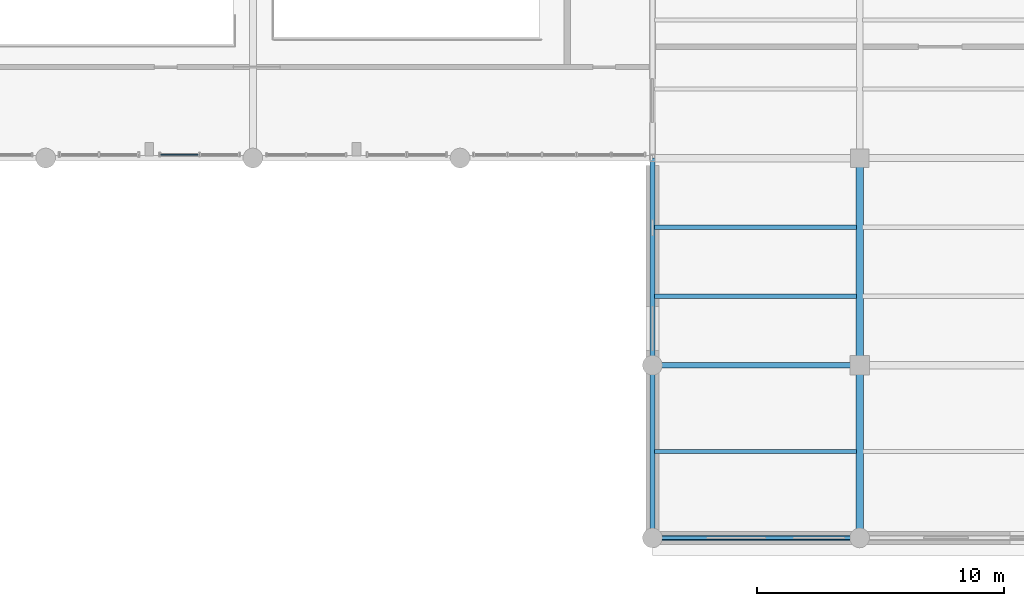
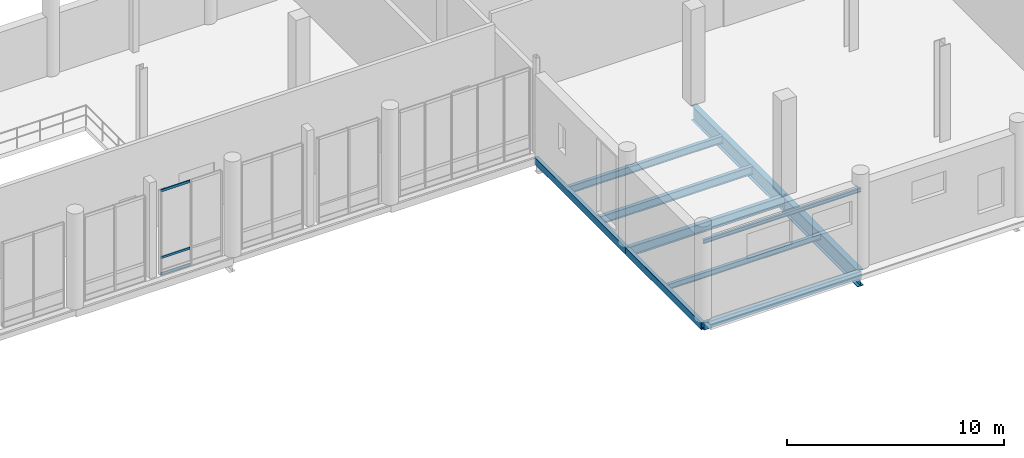
# One storey, part 54 of 128: 10 beams, 3 members, 1 element without a shape of its own.
"""IFC4 building model written with IfcOpenShell, lengths in metres."""

from ifc_helpers import new_model, si_unit, direction, frame, origin_with_axes, origin_2d_with_axis, place, context, subcontext, project, spatial, hollow_rectangle, i_section, extrude, material, material_profile, profile_set, type_object, element, aggregate, save


model = new_model("IFC4")

# Units and contexts
model_context = context("Model", 3, precision=1e-05, world=origin_with_axes(), true_north=direction((0.0, 1.0)))
body_context = subcontext(model_context, "Body", "Model", "MODEL_VIEW")
ifc_project = project(units=[si_unit("LENGTHUNIT", "METRE"), si_unit("AREAUNIT", "SQUARE_METRE"), si_unit("VOLUMEUNIT", "CUBIC_METRE"), si_unit("PLANEANGLEUNIT", "RADIAN"), si_unit("MASSUNIT", "GRAM", prefix="KILO"), si_unit("THERMODYNAMICTEMPERATUREUNIT", "KELVIN")], contexts=[model_context])

# Site, building, storey
site_placement = place(None, origin_with_axes())
site = spatial("IfcSite", under=ifc_project, at=site_placement, CompositionType="ELEMENT")
building_placement = place(site_placement, origin_with_axes())
building = spatial("IfcBuilding", under=site, at=building_placement, Name="Montbau Bow Law Courts", CompositionType="ELEMENT")
storey_placement = place(building_placement, frame((0.0, 0.0, 5.4), z_axis=(0.0, 0.0, 1.0), x_axis=(1.0, 0.0, 0.0)))
storey = spatial("IfcBuildingStorey", under=building, at=storey_placement, Name="L01", CompositionType="ELEMENT", Elevation=5.4)

# Beams
ifc_material_1 = material(Name="Steel CSA G40.21 Grade 350W (350 MPa)", Category="steel")
ifc_material_profile_1 = material_profile(ifc_material_1, i_section(OverallWidth=0.306, OverallDepth=0.919, WebThickness=0.0173, FlangeThickness=0.0279, at=origin_2d_with_axis()), Name="W920X253", Category="Main", Priority=0)
ifc_profile_set_1 = profile_set([ifc_material_profile_1], Name="Steel CSA G40.21 Grade 350W (350 MPa)")
beam_type_1 = type_object("IfcBeamType", Name="B-FLR-01", PredefinedType="BEAM", material=ifc_profile_set_1)
beam_1_placement = place(None, frame((130.2, 6.8, 4.691), z_axis=(0.0, 1.0, 0.0), x_axis=(-1.0, 0.0, 0.0)))
element("IfcBeam", 1, at=beam_1_placement, inside=storey, type_object=beam_type_1, Name="BM-L01-S1488:bm2_1491", PredefinedType="BEAM", context=body_context, shape_type="SweptSolid", body=[
    extrude(i_section(OverallWidth=0.306, OverallDepth=0.919, WebThickness=0.0173, FlangeThickness=0.0279, at=origin_2d_with_axis()), origin_with_axes(), (0.0, 0.0, 1.0), 7.0),
])
ifc_material_profile_2 = material_profile(ifc_material_1, i_section(OverallWidth=0.293, OverallDepth=0.846, WebThickness=0.0154, FlangeThickness=0.0244, at=origin_2d_with_axis()), Name="W840X210", Category="Main", Priority=0)
ifc_profile_set_2 = profile_set([ifc_material_profile_2], Name="Steel CSA G40.21 Grade 350W (350 MPa)")
beam_type_2 = type_object("IfcBeamType", Name="B-FLR-02", PredefinedType="BEAM", material=ifc_profile_set_2)
beam_2_placement = place(None, frame((130.2, 13.8, 4.737), z_axis=(0.0, 1.0, 0.0), x_axis=(-1.0, 0.0, 0.0)))
element("IfcBeam", 2, at=beam_2_placement, inside=storey, type_object=beam_type_2, Name="BM-L01-S1489:bm2_1492", PredefinedType="BEAM", context=body_context, shape_type="SweptSolid", body=[
    extrude(i_section(OverallWidth=0.293, OverallDepth=0.846, WebThickness=0.0154, FlangeThickness=0.0244, at=origin_2d_with_axis()), origin_with_axes(), (0.0, 0.0, 1.0), 8.4),
])
ifc_material_profile_3 = material_profile(ifc_material_1, i_section(OverallWidth=0.21, OverallDepth=0.537, WebThickness=0.0109, FlangeThickness=0.0174, at=origin_2d_with_axis()), Name="W530X101", Category="Main", Priority=0)
ifc_profile_set_3 = profile_set([ifc_material_profile_3], Name="Steel CSA G40.21 Grade 350W (350 MPa)")
beam_type_3 = type_object("IfcBeamType", Name="B-FLR-06", PredefinedType="BEAM", material=ifc_profile_set_3)
beam_3_placement = place(None, frame((121.8, 13.8, 4.891), z_axis=(1.0, 0.0, 0.0), x_axis=(0.0, 1.0, 0.0)))
element("IfcBeam", 3, at=beam_3_placement, inside=storey, type_object=beam_type_3, Name="BM-L01-S1445:bm2_1448", PredefinedType="BEAM", context=body_context, shape_type="SweptSolid", body=[
    extrude(i_section(OverallWidth=0.21, OverallDepth=0.537, WebThickness=0.0109, FlangeThickness=0.0174, at=origin_2d_with_axis()), origin_with_axes(), (0.0, 0.0, 1.0), 8.4),
])
ifc_material_profile_4 = material_profile(ifc_material_1, i_section(OverallWidth=0.191, OverallDepth=0.46, WebThickness=0.0099, FlangeThickness=0.016, at=origin_2d_with_axis()), Name="W460X82", Category="Main", Priority=0)
ifc_profile_set_4 = profile_set([ifc_material_profile_4], Name="Steel CSA G40.21 Grade 350W (350 MPa)")
beam_type_4 = type_object("IfcBeamType", Name="B-JST-01", PredefinedType="JOIST", material=ifc_profile_set_4)
beam_4_placement = place(None, frame((121.88, 16.6, 4.93), z_axis=(1.0, 0.0, 0.0), x_axis=(0.0, 1.0, 0.0)))
element("IfcBeam", 4, at=beam_4_placement, inside=storey, type_object=beam_type_4, Name="JST-L01-S0808:jst2_0808", PredefinedType="JOIST", context=body_context, shape_type="SweptSolid", body=[
    extrude(i_section(OverallWidth=0.191, OverallDepth=0.46, WebThickness=0.0099, FlangeThickness=0.016, at=origin_2d_with_axis()), origin_with_axes(), (0.0, 0.0, 1.0), 8.197),
])
ifc_material_profile_5 = material_profile(ifc_material_1, i_section(OverallWidth=0.179, OverallDepth=0.41, WebThickness=0.0088, FlangeThickness=0.0144, at=origin_2d_with_axis()), Name="W410X67", Category="Main", Priority=0)
ifc_profile_set_5 = profile_set([ifc_material_profile_5], Name="Steel CSA G40.21 Grade 350W (350 MPa)")
beam_type_5 = type_object("IfcBeamType", Name="B-JST-02", PredefinedType="JOIST", material=ifc_profile_set_5)
beam_5_placement = place(None, frame((121.88, 19.4, 4.955), z_axis=(1.0, 0.0, 0.0), x_axis=(0.0, 1.0, 0.0)))
element("IfcBeam", 5, at=beam_5_placement, inside=storey, type_object=beam_type_5, Name="JST-L01-S0809:jst2_0809", PredefinedType="JOIST", context=body_context, shape_type="SweptSolid", body=[
    extrude(i_section(OverallWidth=0.179, OverallDepth=0.41, WebThickness=0.0088, FlangeThickness=0.0144, at=origin_2d_with_axis()), origin_with_axes(), (0.0, 0.0, 1.0), 8.197),
])
ifc_material_profile_6 = material_profile(ifc_material_1, i_section(OverallWidth=0.166, OverallDepth=0.313, WebThickness=0.0066, FlangeThickness=0.0112, at=origin_2d_with_axis()), Name="W310X45", Category="Main", Priority=0)
ifc_profile_set_6 = profile_set([ifc_material_profile_6], Name="Steel CSA G40.21 Grade 350W (350 MPa)")
beam_type_6 = type_object("IfcBeamType", Name="B-JST-04", PredefinedType="JOIST", material=ifc_profile_set_6)
beam_6_placement = place(None, frame((121.88, 10.3, 4.994), z_axis=(1.0, 0.0, 0.0), x_axis=(0.0, 1.0, 0.0)))
element("IfcBeam", 6, at=beam_6_placement, inside=storey, type_object=beam_type_6, Name="JST-L01-S0807:jst2_0807", PredefinedType="JOIST", context=body_context, shape_type="SweptSolid", body=[
    extrude(i_section(OverallWidth=0.166, OverallDepth=0.313, WebThickness=0.0066, FlangeThickness=0.0112, at=origin_2d_with_axis()), origin_with_axes(), (0.0, 0.0, 1.0), 8.191),
])
ifc_material_profile_7 = material_profile(ifc_material_1, i_section(OverallWidth=0.134, OverallDepth=0.21, WebThickness=0.0064, FlangeThickness=0.0102, at=origin_2d_with_axis()), Name="W200X31", Category="Main", Priority=0)
ifc_profile_set_7 = profile_set([ifc_material_profile_7], Name="Steel CSA G40.21 Grade 350W (350 MPa)")
beam_type_7 = type_object("IfcBeamType", Name="B-LNT-02", PredefinedType="LINTEL", material=ifc_profile_set_7)
beam_7_placement = place(None, frame((121.8, 6.8, 9.7), z_axis=(1.0, 0.0, 0.0), x_axis=(0.0, 1.0, 0.0)))
element("IfcBeam", 7, at=beam_7_placement, inside=storey, type_object=beam_type_7, Name="LNT-L01-10:lnt_0010", PredefinedType="LINTEL", context=body_context, shape_type="SweptSolid", body=[
    extrude(i_section(OverallWidth=0.134, OverallDepth=0.21, WebThickness=0.0064, FlangeThickness=0.0102, at=origin_2d_with_axis()), origin_with_axes(), (0.0, 0.0, 1.0), 8.4),
])
ifc_material_2 = material(Name="Steel CSA G40.21 Grade 350WT (350 MPa)", Category="steel")
ifc_material_profile_8 = material_profile(ifc_material_2, hollow_rectangle(XDim=0.203, YDim=0.406, WallThickness=0.0127, InnerFilletRadius=0.0254, OuterFilletRadius=0.0127, at=origin_2d_with_axis()), Name="HSS406X203X13", Category="Main", Priority=0)
ifc_profile_set_8 = profile_set([ifc_material_profile_8], Name="Steel CSA G40.21 Grade 350WT (350 MPa)")
beam_type_8 = type_object("IfcBeamType", Name="B-SPN-01", PredefinedType="SPANDREL", material=ifc_profile_set_8)
beam_8_placement = place(None, frame((121.8, 6.8, 4.947), z_axis=(1.0, 0.0, 0.0), x_axis=(0.0, 1.0, 0.0)))
element("IfcBeam", 8, at=beam_8_placement, inside=storey, type_object=beam_type_8, Name="SPN-L01-S1439:bm2_1442", PredefinedType="SPANDREL", context=body_context, shape_type="SweptSolid", body=[
    extrude(hollow_rectangle(XDim=0.203, YDim=0.406, WallThickness=0.0127, InnerFilletRadius=0.0254, OuterFilletRadius=0.0127, at=origin_2d_with_axis()), origin_with_axes(), (0.0, 0.0, 1.0), 8.4),
])
beam_9_placement = place(None, frame((121.8, 6.8, 4.947), z_axis=(0.0, 1.0, 0.0), x_axis=(-1.0, 0.0, 0.0)))
element("IfcBeam", 9, at=beam_9_placement, inside=storey, type_object=beam_type_8, Name="SPN-L01-S1483:bm2_1486", PredefinedType="SPANDREL", context=body_context, shape_type="SweptSolid", body=[
    extrude(hollow_rectangle(XDim=0.203, YDim=0.406, WallThickness=0.0127, InnerFilletRadius=0.0254, OuterFilletRadius=0.0127, at=origin_2d_with_axis()), origin_with_axes(), (0.0, 0.0, 1.0), 7.0),
])
beam_10_placement = place(None, frame((121.8, 13.8, 4.957), z_axis=(0.0, 1.0, 0.0), x_axis=(-1.0, 0.0, 0.0)))
element("IfcBeam", 10, at=beam_10_placement, inside=storey, type_object=beam_type_8, Name="SPN-L01-S1484:bm2_1487", PredefinedType="SPANDREL", context=body_context, shape_type="SweptSolid", body=[
    extrude(hollow_rectangle(XDim=0.203, YDim=0.406, WallThickness=0.0127, InnerFilletRadius=0.0254, OuterFilletRadius=0.0127, at=origin_2d_with_axis()), origin_with_axes(), (0.0, 0.0, 1.0), 8.4),
])

# Curtain wall, members
ifc_material_3 = material(Name="Thermally Broken Extruded Aluminium AA 6063-T6", Category="aluminium")
curtain_wall_type = type_object("IfcCurtainWallType", Name="CW-WGC-02", PredefinedType="NOTDEFINED", material=ifc_material_3)
curtain_wall_placement = place(None, frame((101.79, 22.34, 5.4), z_axis=(0.0, 0.0, 1.0), x_axis=(1.0, 0.0, 0.0)))
curtain_wall = element("IfcCurtainWall", 11, at=curtain_wall_placement, inside=storey, type_object=curtain_wall_type, Name="CW-L01-409:cw_0409", PredefinedType="NOTDEFINED")
ifc_material_profile_9 = material_profile(ifc_material_3, hollow_rectangle(XDim=0.055, YDim=0.14, WallThickness=0.004, InnerFilletRadius=0.008, OuterFilletRadius=0.004, at=origin_2d_with_axis()), Name="CWT-140X55", Category="Main", Priority=0)
ifc_profile_set_9 = profile_set([ifc_material_profile_9], Name="Thermally Broken Extruded Aluminium AA 6063-T6")
member_type = type_object("IfcMemberType", Name="M-TRN-02", PredefinedType="USERDEFINED", material=ifc_profile_set_9)
member_1_placement = place(None, frame((101.858, 22.34, 5.428), z_axis=(1.0, 0.0, 0.0), x_axis=(0.0, 1.0, 0.0)))
member_1 = element("IfcMember", 12, at=member_1_placement, type_object=member_type, Name="CW-L01-409-T01-1:cw_0409_T01_1", ObjectType="TRANSOM", PredefinedType="USERDEFINED", context=body_context, shape_type="SweptSolid", body=[
    extrude(hollow_rectangle(XDim=0.055, YDim=0.14, WallThickness=0.004, InnerFilletRadius=0.008, OuterFilletRadius=0.004, at=origin_2d_with_axis()), origin_with_axes(), (0.0, 0.0, 1.0), 1.545),
])
member_2_placement = place(None, frame((101.858, 22.34, 6.35), z_axis=(1.0, 0.0, 0.0), x_axis=(0.0, 1.0, 0.0)))
member_2 = element("IfcMember", 13, at=member_2_placement, type_object=member_type, Name="CW-L01-409-T01-2:cw_0409_T01_2", ObjectType="TRANSOM", PredefinedType="USERDEFINED", context=body_context, shape_type="SweptSolid", body=[
    extrude(hollow_rectangle(XDim=0.055, YDim=0.14, WallThickness=0.004, InnerFilletRadius=0.008, OuterFilletRadius=0.004, at=origin_2d_with_axis()), origin_with_axes(), (0.0, 0.0, 1.0), 1.545),
])
member_3_placement = place(None, frame((101.858, 22.34, 10.123), z_axis=(1.0, 0.0, 0.0), x_axis=(0.0, 1.0, 0.0)))
member_3 = element("IfcMember", 14, at=member_3_placement, type_object=member_type, Name="CW-L01-409-T01-3:cw_0409_T01_3", ObjectType="TRANSOM", PredefinedType="USERDEFINED", context=body_context, shape_type="SweptSolid", body=[
    extrude(hollow_rectangle(XDim=0.055, YDim=0.14, WallThickness=0.004, InnerFilletRadius=0.008, OuterFilletRadius=0.004, at=origin_2d_with_axis()), origin_with_axes(), (0.0, 0.0, 1.0), 1.545),
])
aggregate(curtain_wall, [member_1, member_2, member_3])

save(model, "model.ifc")
